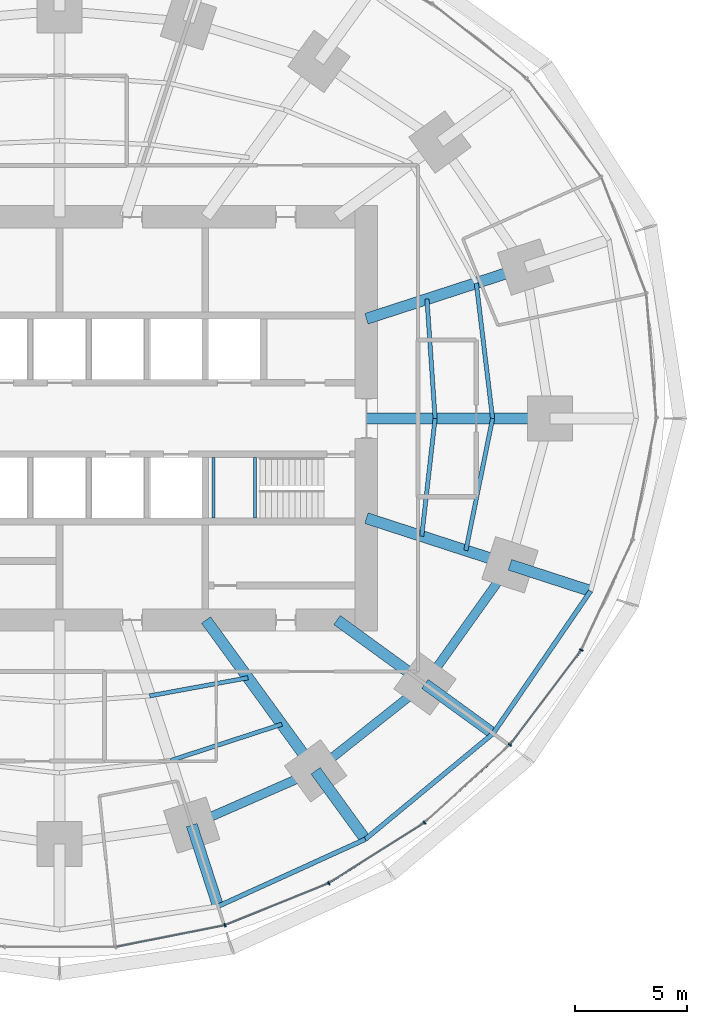
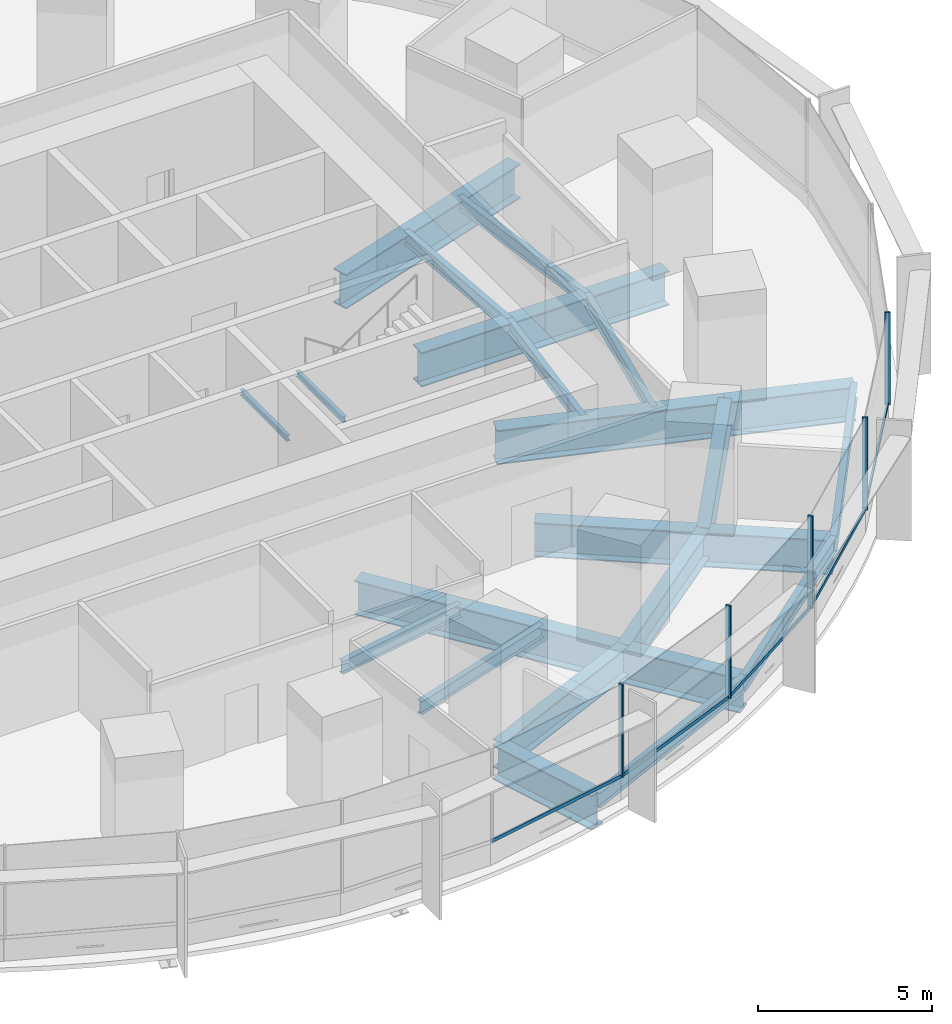
# One storey, part 5 of 15: 23 beams, 10 members, 2 elements without a shape of their own.
"""IFC4 building model written with IfcOpenShell, lengths in metres."""

from ifc_helpers import new_model, si_unit, direction, frame, origin, origin_2d, place, context, subcontext, project, spatial, rectangle, i_section, extrude, material, material_profile, profile_set, type_object, element, aggregate, save


model = new_model("IFC4")

# Units and contexts
model_context = context("Model", 3, precision=1e-05, world=origin(), true_north=direction((0.0, 1.0)))
body_context = subcontext(model_context, "Body", "Model", "MODEL_VIEW")
ifc_project = project(units=[si_unit("LENGTHUNIT", "METRE"), si_unit("AREAUNIT", "SQUARE_METRE"), si_unit("VOLUMEUNIT", "CUBIC_METRE"), si_unit("PLANEANGLEUNIT", "RADIAN"), si_unit("MASSUNIT", "GRAM", prefix="KILO")], contexts=[model_context])

# Site, building, storey
site_placement = place(None, origin())
site = spatial("IfcSite", under=ifc_project, at=site_placement, CompositionType="ELEMENT")
building_placement = place(site_placement, origin())
building = spatial("IfcBuilding", under=site, at=building_placement, Name="Marramba Exchange Tower", CompositionType="ELEMENT")
storey_placement = place(building_placement, frame((0.0, 0.0, 70.0)))
storey = spatial("IfcBuildingStorey", under=building, at=storey_placement, Name="L16", CompositionType="ELEMENT", Elevation=70.0)

# Beams
ifc_material_1 = material(Name="Steel AS/NZS 3679.2 grade 300", Category="steel")
ifc_material_profile_1 = material_profile(ifc_material_1, i_section(OverallWidth=0.5, OverallDepth=1.199951171875, WebThickness=0.01611328125, FlangeThickness=0.0400390625, at=origin_2d()), Name="1200WB455")
ifc_profile_set_1 = profile_set([ifc_material_profile_1], Name="Steel AS/NZS 3679.2 grade 300")
beam_type_1 = type_object("IfcBeamType", Name="Cantilever girder 1200WB455", PredefinedType="BEAM", material=ifc_profile_set_1)
beam_1_placement = place(storey_placement, frame((5.899658203125, -18.156982421875, -0.760009765625), z_axis=(0.309009272901, -0.951059025119, 0.0), x_axis=(0.951059025119, 0.309009272901, 0.0)))
element("IfcBeam", 1, at=beam_1_placement, inside=storey, type_object=beam_type_1, Name="Cantilever girder L16 TC17", PredefinedType="BEAM", context=body_context, shape_type="SweptSolid", body=[
    extrude(i_section(OverallWidth=0.5, OverallDepth=1.199951171875, WebThickness=0.01611328125, FlangeThickness=0.0400390625, at=origin_2d()), origin(), (0.0, 0.0, 1.0), 3.809814453125),
])
beam_2_placement = place(storey_placement, frame((11.430419921875, -15.732666015625, -0.760009765625), z_axis=(0.587787232741, -0.809015555491, 0.0), x_axis=(0.809015555491, 0.587787232741, 0.0)))
element("IfcBeam", 2, at=beam_2_placement, inside=storey, type_object=beam_type_1, Name="Cantilever girder L16 TC18", PredefinedType="BEAM", context=body_context, shape_type="SweptSolid", body=[
    extrude(i_section(OverallWidth=0.5, OverallDepth=1.199951171875, WebThickness=0.01611328125, FlangeThickness=0.0400390625, at=origin_2d()), origin(), (0.0, 0.0, 1.0), 3.7763671875),
])
beam_3_placement = place(storey_placement, frame((16.3154296875, -11.853759765625, -0.760009765625), z_axis=(0.809008346081, -0.587797155463, 0.0), x_axis=(0.587797155463, 0.809008346081, 0.0)))
element("IfcBeam", 3, at=beam_3_placement, inside=storey, type_object=beam_type_1, Name="Cantilever girder L16 TC19", PredefinedType="BEAM", context=body_context, shape_type="SweptSolid", body=[
    extrude(i_section(OverallWidth=0.5, OverallDepth=1.199951171875, WebThickness=0.01611328125, FlangeThickness=0.0400390625, at=origin_2d()), origin(), (0.0, 0.0, 1.0), 3.76025390625),
])
beam_4_placement = place(storey_placement, frame((20.109375, -6.533935546875, -0.760009765625), z_axis=(0.951048759501, -0.309040866314, 0.0), x_axis=(0.309040866314, 0.951048759501, 0.0)))
element("IfcBeam", 4, at=beam_4_placement, inside=storey, type_object=beam_type_1, Name="Cantilever girder L16 TC20", PredefinedType="BEAM", context=body_context, shape_type="SweptSolid", body=[
    extrude(i_section(OverallWidth=0.5, OverallDepth=1.199951171875, WebThickness=0.01611328125, FlangeThickness=0.0400390625, at=origin_2d()), origin(), (0.0, 0.0, 1.0), 3.78564453125),
])
ifc_material_2 = material(Name="Steel AS/NZS 3679.1 grade 300", Category="steel")
ifc_material_profile_2 = material_profile(ifc_material_2, i_section(OverallWidth=0.18994140625, OverallDepth=0.4541015625, WebThickness=0.008544921875, FlangeThickness=0.0126953125, FilletRadius=0.011474609375, at=origin_2d()), Name="460UB67.1")
ifc_profile_set_2 = profile_set([ifc_material_profile_2], Name="Steel AS/NZS 3679.1 grade 300")
beam_type_2 = type_object("IfcBeamType", Name="Floor joist 460UB67.1", PredefinedType="JOIST", material=ifc_profile_set_2)
beam_5_placement = place(storey_placement, frame((16.7666015625, 0.0, -0.386962890625), z_axis=(-0.068096259546, 0.99767875563, 0.0), x_axis=(-0.99767875563, -0.068096259546, 0.0)))
element("IfcBeam", 5, at=beam_5_placement, inside=storey, type_object=beam_type_2, Name="Joist L16 bay 01 row 1", PredefinedType="JOIST", context=body_context, shape_type="SweptSolid", body=[
    extrude(i_section(OverallWidth=0.18994140625, OverallDepth=0.4541015625, WebThickness=0.008544921875, FlangeThickness=0.0126953125, FilletRadius=0.011474609375, at=origin_2d()), origin(), (0.0, 0.0, 1.0), 5.342041015625),
])
beam_6_placement = place(storey_placement, frame((19.333251953125, 0.0, -0.386962890625), z_axis=(-0.119523078538, 0.992831422597, 0.0), x_axis=(-0.992831422597, -0.119523078538, 0.0)))
element("IfcBeam", 6, at=beam_6_placement, inside=storey, type_object=beam_type_2, Name="Joist L16 bay 01 row 2", PredefinedType="JOIST", context=body_context, shape_type="SweptSolid", body=[
    extrude(i_section(OverallWidth=0.18994140625, OverallDepth=0.4541015625, WebThickness=0.008544921875, FlangeThickness=0.0126953125, FilletRadius=0.011474609375, at=origin_2d()), origin(), (0.0, 0.0, 1.0), 6.089111328125),
])
beam_7_placement = place(storey_placement, frame((4.0244140625, -12.3857421875, -0.386962890625), z_axis=(0.983455754421, 0.181148500119, 0.0), x_axis=(-0.181148500119, 0.983455754421, 0.0)))
element("IfcBeam", 7, at=beam_7_placement, inside=storey, type_object=beam_type_2, Name="Joist L16 bay 17 row 1", PredefinedType="JOIST", context=body_context, shape_type="SweptSolid", body=[
    extrude(i_section(OverallWidth=0.18994140625, OverallDepth=0.4541015625, WebThickness=0.008544921875, FlangeThickness=0.0126953125, FilletRadius=0.011474609375, at=origin_2d()), origin(), (0.0, 0.0, 1.0), 4.4609375),
])
beam_8_placement = place(storey_placement, frame((4.9619140625, -15.271484375, -0.386962890625), z_axis=(0.950764024931, 0.309915744834, 0.0), x_axis=(-0.309915744834, 0.950764024931, 0.0)))
element("IfcBeam", 8, at=beam_8_placement, inside=storey, type_object=beam_type_2, Name="Joist L16 bay 17 row 2", PredefinedType="JOIST", context=body_context, shape_type="SweptSolid", body=[
    extrude(i_section(OverallWidth=0.18994140625, OverallDepth=0.4541015625, WebThickness=0.008544921875, FlangeThickness=0.0126953125, FilletRadius=0.011474609375, at=origin_2d()), origin(), (0.0, 0.0, 1.0), 5.2158203125),
])
beam_9_placement = place(storey_placement, frame((16.169677734375, -5.25390625, -0.386962890625), z_axis=(0.112888968594, 0.993607609054, 0.0), x_axis=(-0.993607609054, 0.112888968594, 0.0)))
element("IfcBeam", 9, at=beam_9_placement, inside=storey, type_object=beam_type_2, Name="Joist L16 bay 20 row 1", PredefinedType="JOIST", context=body_context, shape_type="SweptSolid", body=[
    extrude(i_section(OverallWidth=0.18994140625, OverallDepth=0.4541015625, WebThickness=0.008544921875, FlangeThickness=0.0126953125, FilletRadius=0.011474609375, at=origin_2d()), origin(), (0.0, 0.0, 1.0), 5.28759765625),
])
beam_10_placement = place(storey_placement, frame((18.1396484375, -5.893798828125, -0.386962890625), z_axis=(0.198489047047, 0.980103105904, 0.0), x_axis=(-0.980103105904, 0.198489047047, 0.0)))
element("IfcBeam", 10, at=beam_10_placement, inside=storey, type_object=beam_type_2, Name="Joist L16 bay 20 row 2", PredefinedType="JOIST", context=body_context, shape_type="SweptSolid", body=[
    extrude(i_section(OverallWidth=0.18994140625, OverallDepth=0.4541015625, WebThickness=0.008544921875, FlangeThickness=0.0126953125, FilletRadius=0.011474609375, at=origin_2d()), origin(), (0.0, 0.0, 1.0), 6.013427734375),
])
ifc_material_profile_3 = material_profile(ifc_material_1, i_section(OverallWidth=0.5, OverallDepth=1.199951171875, WebThickness=0.01611328125, FlangeThickness=0.0400390625, at=origin_2d()), Name="1200WB455")
ifc_profile_set_3 = profile_set([ifc_material_profile_3], Name="Steel AS/NZS 3679.2 grade 300")
beam_type_3 = type_object("IfcBeamType", Name="Radial girder 1200WB455", PredefinedType="BEAM", material=ifc_profile_set_3)
beam_11_placement = place(storey_placement, frame((13.699951171875, 0.0, -0.760009765625), z_axis=(1.0, 0.0, 0.0), x_axis=(0.0, 1.0, 0.0)))
element("IfcBeam", 11, at=beam_11_placement, inside=storey, type_object=beam_type_3, Name="Radial girder L16 TC01", PredefinedType="BEAM", context=body_context, shape_type="SweptSolid", body=[
    extrude(i_section(OverallWidth=0.5, OverallDepth=1.199951171875, WebThickness=0.01611328125, FlangeThickness=0.0400390625, at=origin_2d()), origin(), (0.0, 0.0, 1.0), 8.199951171875),
])
beam_12_placement = place(storey_placement, frame((13.699951171875, 4.451416015625, -0.760009765625), z_axis=(0.951059990189, 0.309006302624, 0.0), x_axis=(-0.309006302624, 0.951059990189, 0.0)))
element("IfcBeam", 12, at=beam_12_placement, inside=storey, type_object=beam_type_3, Name="Radial girder L16 TC02", PredefinedType="BEAM", context=body_context, shape_type="SweptSolid", body=[
    extrude(i_section(OverallWidth=0.5, OverallDepth=1.199951171875, WebThickness=0.01611328125, FlangeThickness=0.0400390625, at=origin_2d()), origin(), (0.0, 0.0, 1.0), 7.47412109375),
])
beam_13_placement = place(storey_placement, frame((6.538818359375, -9.0, -0.760009765625), z_axis=(0.587787877172, -0.809015087282, 0.0), x_axis=(0.809015087282, 0.587787877172, 0.0)))
element("IfcBeam", 13, at=beam_13_placement, inside=storey, type_object=beam_type_3, Name="Radial girder L16 TC18", PredefinedType="BEAM", context=body_context, shape_type="SweptSolid", body=[
    extrude(i_section(OverallWidth=0.5, OverallDepth=1.199951171875, WebThickness=0.01611328125, FlangeThickness=0.0400390625, at=origin_2d()), origin(), (0.0, 0.0, 1.0), 8.322021484375),
])
beam_14_placement = place(storey_placement, frame((12.387451171875, -9.0, -0.760009765625), z_axis=(0.809025189606, -0.58777397236, 0.0), x_axis=(0.58777397236, 0.809025189606, 0.0)))
element("IfcBeam", 14, at=beam_14_placement, inside=storey, type_object=beam_type_3, Name="Radial girder L16 TC19", PredefinedType="BEAM", context=body_context, shape_type="SweptSolid", body=[
    extrude(i_section(OverallWidth=0.5, OverallDepth=1.199951171875, WebThickness=0.01611328125, FlangeThickness=0.0400390625, at=origin_2d()), origin(), (0.0, 0.0, 1.0), 4.855224609375),
])
beam_15_placement = place(storey_placement, frame((13.699951171875, -4.451416015625, -0.760009765625), z_axis=(0.951057759669, -0.309013167637, 0.0), x_axis=(0.309013167637, 0.951057759669, 0.0)))
element("IfcBeam", 15, at=beam_15_placement, inside=storey, type_object=beam_type_3, Name="Radial girder L16 TC20", PredefinedType="BEAM", context=body_context, shape_type="SweptSolid", body=[
    extrude(i_section(OverallWidth=0.5, OverallDepth=1.199951171875, WebThickness=0.01611328125, FlangeThickness=0.0400390625, at=origin_2d()), origin(), (0.0, 0.0, 1.0), 6.7392578125),
])
ifc_material_profile_4 = material_profile(ifc_material_1, i_section(OverallWidth=0.39990234375, OverallDepth=1.0, WebThickness=0.01611328125, FlangeThickness=0.031982421875, at=origin_2d()), Name="1000WB322")
ifc_profile_set_4 = profile_set([ifc_material_profile_4], Name="Steel AS/NZS 3679.2 grade 300")
beam_type_4 = type_object("IfcBeamType", Name="Ring beam 1000WB322", PredefinedType="SPANDREL", material=ifc_profile_set_4)
beam_16_placement = place(storey_placement, frame((5.899658203125, -18.156982421875, -0.659912109375), z_axis=(0.915876892158, 0.4014592363, 0.0), x_axis=(-0.4014592363, 0.915876892158, 0.0)))
element("IfcBeam", 16, at=beam_16_placement, inside=storey, type_object=beam_type_4, Name="Ring beam L16 TC17-TC18", PredefinedType="SPANDREL", context=body_context, shape_type="SweptSolid", body=[
    extrude(i_section(OverallWidth=0.39990234375, OverallDepth=1.0, WebThickness=0.01611328125, FlangeThickness=0.031982421875, at=origin_2d()), origin(), (0.0, 0.0, 1.0), 6.038818359375),
])
beam_17_placement = place(storey_placement, frame((11.430419921875, -15.732666015625, -0.659912109375), z_axis=(0.783139438128, 0.621846138887, 0.0), x_axis=(-0.621846138887, 0.783139438128, 0.0)))
element("IfcBeam", 17, at=beam_17_placement, inside=storey, type_object=beam_type_4, Name="Ring beam L16 TC18-TC19", PredefinedType="SPANDREL", context=body_context, shape_type="SweptSolid", body=[
    extrude(i_section(OverallWidth=0.39990234375, OverallDepth=1.0, WebThickness=0.01611328125, FlangeThickness=0.031982421875, at=origin_2d()), origin(), (0.0, 0.0, 1.0), 6.23779296875),
])
beam_18_placement = place(storey_placement, frame((16.3154296875, -11.853759765625, -0.659912109375), z_axis=(0.580637181111, 0.814162430914, 0.0), x_axis=(-0.814162430914, 0.580637181111, 0.0)))
element("IfcBeam", 18, at=beam_18_placement, inside=storey, type_object=beam_type_4, Name="Ring beam L16 TC19-TC20", PredefinedType="SPANDREL", context=body_context, shape_type="SweptSolid", body=[
    extrude(i_section(OverallWidth=0.39990234375, OverallDepth=1.0, WebThickness=0.01611328125, FlangeThickness=0.031982421875, at=origin_2d()), origin(), (0.0, 0.0, 1.0), 6.5341796875),
])
ifc_material_profile_5 = material_profile(ifc_material_2, i_section(OverallWidth=0.208984375, OverallDepth=0.528076171875, WebThickness=0.009521484375, FlangeThickness=0.01318359375, FilletRadius=0.013916015625, at=origin_2d()), Name="530UB82.0")
ifc_profile_set_5 = profile_set([ifc_material_profile_5], Name="Steel AS/NZS 3679.1 grade 300")
beam_type_5 = type_object("IfcBeamType", Name="Slab edge beam 530UB82.0", PredefinedType="SPANDREL", material=ifc_profile_set_5)
beam_19_placement = place(storey_placement, frame((7.076904296875, -21.7802734375, -0.424072265625), z_axis=(0.910126690081, 0.414330071324, 0.0), x_axis=(-0.414330071324, 0.910126690081, 0.0)))
element("IfcBeam", 19, at=beam_19_placement, inside=storey, type_object=beam_type_5, Name="Slab edge beam L16 TC17-TC18", PredefinedType="SPANDREL", context=body_context, shape_type="SweptSolid", body=[
    extrude(i_section(OverallWidth=0.208984375, OverallDepth=0.528076171875, WebThickness=0.009521484375, FlangeThickness=0.01318359375, FilletRadius=0.013916015625, at=origin_2d()), origin(), (0.0, 0.0, 1.0), 7.222412109375),
])
beam_20_placement = place(storey_placement, frame((13.650146484375, -18.787841796875, -0.424072265625), z_axis=(0.770353575372, 0.637616945283, 0.0), x_axis=(-0.637616945283, 0.770353575372, 0.0)))
element("IfcBeam", 20, at=beam_20_placement, inside=storey, type_object=beam_type_5, Name="Slab edge beam L16 TC18-TC19", PredefinedType="SPANDREL", context=body_context, shape_type="SweptSolid", body=[
    extrude(i_section(OverallWidth=0.208984375, OverallDepth=0.528076171875, WebThickness=0.009521484375, FlangeThickness=0.01318359375, FilletRadius=0.013916015625, at=origin_2d()), origin(), (0.0, 0.0, 1.0), 7.40869140625),
])
beam_21_placement = place(storey_placement, frame((19.357421875, -14.06396484375, -0.424072265625), z_axis=(0.564740697285, 0.82526840775, 0.0), x_axis=(-0.82526840775, 0.564740697285, 0.0)))
element("IfcBeam", 21, at=beam_21_placement, inside=storey, type_object=beam_type_5, Name="Slab edge beam L16 TC19-TC20", PredefinedType="SPANDREL", context=body_context, shape_type="SweptSolid", body=[
    extrude(i_section(OverallWidth=0.208984375, OverallDepth=0.528076171875, WebThickness=0.009521484375, FlangeThickness=0.01318359375, FilletRadius=0.013916015625, at=origin_2d()), origin(), (0.0, 0.0, 1.0), 7.706787109375),
])
ifc_material_profile_6 = material_profile(ifc_material_2, i_section(OverallWidth=0.133056640625, OverallDepth=0.202880859375, WebThickness=0.005859375, FlangeThickness=0.0078125, FilletRadius=0.0087890625, at=origin_2d()), Name="200UB25.4")
ifc_profile_set_6 = profile_set([ifc_material_profile_6], Name="Steel AS/NZS 3679.1 grade 300")
beam_type_6 = type_object("IfcBeamType", Name="Stair landing beam 200UB25.4", PredefinedType="BEAM", material=ifc_profile_set_6)
for number, where, z_axis, x_axis, name in (
    (22, (6.866455078125, -4.449951171875, 1.798583984375), (0.0, 1.0, 0.0), (-1.0, 0.0, 0.0), "Stair landing beam SLB1 ST2 L16 1"),
    (23, (8.723388671875, -4.449951171875, 1.798583984375), (0.0, 1.0, 0.0), (-1.0, 0.0, 0.0), "Stair landing beam SLB1 ST2 L16 2"),
):
    element("IfcBeam", number, at=place(storey_placement, frame(where, z_axis=z_axis, x_axis=x_axis)), inside=storey, type_object=beam_type_6, Name=name, PredefinedType="BEAM", context=body_context, shape_type="SweptSolid", body=[
        extrude(i_section(OverallWidth=0.133056640625, OverallDepth=0.202880859375, WebThickness=0.005859375, FlangeThickness=0.0078125, FilletRadius=0.0087890625, at=origin_2d()), origin(), (0.0, 0.0, 1.0), 2.699951171875),
    ])

# Curtain wall, member
ifc_material_3 = material(Name="Aluminium framing, bronze anodised", Category="aluminium")
curtain_wall_type = type_object("IfcCurtainWallType", Name="Trading floor ribbon curtain wall", PredefinedType="USERDEFINED", material=ifc_material_3)
curtain_wall_1_placement = place(storey_placement, origin())
curtain_wall_1 = element("IfcCurtainWall", 24, at=curtain_wall_1_placement, inside=storey, type_object=curtain_wall_type, Name="Curtain wall CW3 L16 F21-F25", ObjectType="RIBBON CURTAIN WALL", PredefinedType="USERDEFINED")
ifc_material_4 = material(Name="Aluminium mullion, bronze anodised", Category="aluminium")
ifc_material_profile_7 = material_profile(ifc_material_4, rectangle(XDim=0.159912109375, YDim=0.06005859375, at=origin_2d()), Name="CW3 mullion 60x160")
ifc_profile_set_7 = profile_set([ifc_material_profile_7], Name="Aluminium mullion, bronze anodised")
member_type_1 = type_object("IfcMemberType", Name="Trading floor ribbon curtain wall mullion", PredefinedType="MULLION", material=ifc_profile_set_7)
member_1_placement = place(storey_placement, frame((7.3828125, -22.625, 0.800048828125), z_axis=(0.0, 0.0, 1.0), x_axis=(-0.374218219325, 0.927340673283, 0.0)))
member_1 = element("IfcMember", 25, at=member_1_placement, type_object=member_type_1, Name="CW3 mullion 1", PredefinedType="MULLION", context=body_context, shape_type="SweptSolid", body=[
    extrude(rectangle(XDim=0.159912109375, YDim=0.06005859375, at=origin_2d()), origin(), (0.0, 0.0, 1.0), 3.239990234375),
])

# Curtain wall, members
curtain_wall_2_placement = place(storey_placement, origin())
curtain_wall_2 = element("IfcCurtainWall", 26, at=curtain_wall_2_placement, inside=storey, type_object=curtain_wall_type, Name="Curtain wall CW3 L16 F26-F30", ObjectType="RIBBON CURTAIN WALL", PredefinedType="USERDEFINED")
member_2_placement = place(storey_placement, frame((12.0146484375, -20.75, 0.800048828125), z_axis=(0.0, 0.0, 1.0), x_axis=(-0.533514646612, 0.845790826298, 0.0)))
member_2 = element("IfcMember", 27, at=member_2_placement, type_object=member_type_1, Name="CW3 mullion 1", PredefinedType="MULLION", context=body_context, shape_type="SweptSolid", body=[
    extrude(rectangle(XDim=0.159912109375, YDim=0.06005859375, at=origin_2d()), origin(), (0.0, 0.0, 1.0), 3.239990234375),
])
member_3_placement = place(storey_placement, frame((16.2900390625, -18.047119140625, 0.800048828125), z_axis=(0.0, 0.0, 1.0), x_axis=(-0.673058133441, 0.739589581463, 0.0)))
member_3 = element("IfcMember", 28, at=member_3_placement, type_object=member_type_1, Name="CW3 mullion 1", PredefinedType="MULLION", context=body_context, shape_type="SweptSolid", body=[
    extrude(rectangle(XDim=0.159912109375, YDim=0.06005859375, at=origin_2d()), origin(), (0.0, 0.0, 1.0), 3.239990234375),
])
member_4_placement = place(storey_placement, frame((20.103515625, -14.569091796875, 0.800048828125), z_axis=(0.0, 0.0, 1.0), x_axis=(-0.797710591138, 0.603040473588, 0.0)))
member_4 = element("IfcMember", 29, at=member_4_placement, type_object=member_type_1, Name="CW3 mullion 1", PredefinedType="MULLION", context=body_context, shape_type="SweptSolid", body=[
    extrude(rectangle(XDim=0.159912109375, YDim=0.06005859375, at=origin_2d()), origin(), (0.0, 0.0, 1.0), 3.239990234375),
])
member_5_placement = place(storey_placement, frame((23.2939453125, -10.33837890625, 0.800048828125), z_axis=(0.0, 0.0, 1.0), x_axis=(-0.905906758768, 0.423477206492, 0.0)))
member_5 = element("IfcMember", 30, at=member_5_placement, type_object=member_type_1, Name="CW3 mullion 1", PredefinedType="MULLION", context=body_context, shape_type="SweptSolid", body=[
    extrude(rectangle(XDim=0.159912109375, YDim=0.06005859375, at=origin_2d()), origin(), (0.0, 0.0, 1.0), 3.239990234375),
])

# Member
ifc_material_5 = material(Name="Aluminium transom, bronze anodised", Category="aluminium")
ifc_material_profile_8 = material_profile(ifc_material_5, rectangle(XDim=0.06005859375, YDim=0.1201171875, at=origin_2d()), Name="CW3 transom 60x120")
ifc_profile_set_8 = profile_set([ifc_material_profile_8], Name="Aluminium transom, bronze anodised")
member_type_2 = type_object("IfcMemberType", Name="Trading floor ribbon curtain wall transom", PredefinedType="USERDEFINED", material=ifc_profile_set_8)
member_6_placement = place(storey_placement, frame((2.539306640625, -23.58837890625, 0.830078125), z_axis=(0.981008707181, 0.193963698758, 0.0), x_axis=(-0.193963698758, 0.981008707181, 0.0)))
member_6 = element("IfcMember", 31, at=member_6_placement, type_object=member_type_2, Name="CW3 sill transom", ObjectType="TRANSOM", PredefinedType="USERDEFINED", context=body_context, shape_type="SweptSolid", body=[
    extrude(rectangle(XDim=0.06005859375, YDim=0.1201171875, at=origin_2d()), origin(), (0.0, 0.0, 1.0), 4.908935546875),
])

member_7_placement = place(storey_placement, frame((7.41064453125, -22.61376953125, 0.830078125), z_axis=(0.927340197166, 0.374219399176, 0.0), x_axis=(-0.374219399176, 0.927340197166, 0.0)))
member_7 = element("IfcMember", 32, at=member_7_placement, type_object=member_type_2, Name="CW3 sill transom", ObjectType="TRANSOM", PredefinedType="USERDEFINED", context=body_context, shape_type="SweptSolid", body=[
    extrude(rectangle(XDim=0.06005859375, YDim=0.1201171875, at=origin_2d()), origin(), (0.0, 0.0, 1.0), 4.937255859375),
])

aggregate(curtain_wall_1, [member_6, member_1, member_7])

member_8_placement = place(storey_placement, frame((12.0400390625, -20.734130859375, 0.830078125), z_axis=(0.845776602594, 0.533537195053, 0.0), x_axis=(-0.533537195053, 0.845776602594, 0.0)))
member_8 = element("IfcMember", 33, at=member_8_placement, type_object=member_type_2, Name="CW3 sill transom", ObjectType="TRANSOM", PredefinedType="USERDEFINED", context=body_context, shape_type="SweptSolid", body=[
    extrude(rectangle(XDim=0.06005859375, YDim=0.1201171875, at=origin_2d()), origin(), (0.0, 0.0, 1.0), 4.998779296875),
])

member_9_placement = place(storey_placement, frame((16.312255859375, -18.02685546875, 0.830078125), z_axis=(0.739582688456, 0.673065707741, 0.0), x_axis=(-0.673065707741, 0.739582688456, 0.0)))
member_9 = element("IfcMember", 34, at=member_9_placement, type_object=member_type_2, Name="CW3 sill transom", ObjectType="TRANSOM", PredefinedType="USERDEFINED", context=body_context, shape_type="SweptSolid", body=[
    extrude(rectangle(XDim=0.06005859375, YDim=0.1201171875, at=origin_2d()), origin(), (0.0, 0.0, 1.0), 5.101806640625),
])

member_10_placement = place(storey_placement, frame((20.12158203125, -14.545166015625, 0.830078125), z_axis=(0.603037409419, 0.797712907531, 0.0), x_axis=(-0.797712907531, 0.603037409419, 0.0)))
member_10 = element("IfcMember", 35, at=member_10_placement, type_object=member_type_2, Name="CW3 sill transom", ObjectType="TRANSOM", PredefinedType="USERDEFINED", context=body_context, shape_type="SweptSolid", body=[
    extrude(rectangle(XDim=0.06005859375, YDim=0.1201171875, at=origin_2d()), origin(), (0.0, 0.0, 1.0), 5.239501953125),
])

aggregate(curtain_wall_2, [member_2, member_8, member_3, member_9, member_4, member_10, member_5])

save(model, "model.ifc")
